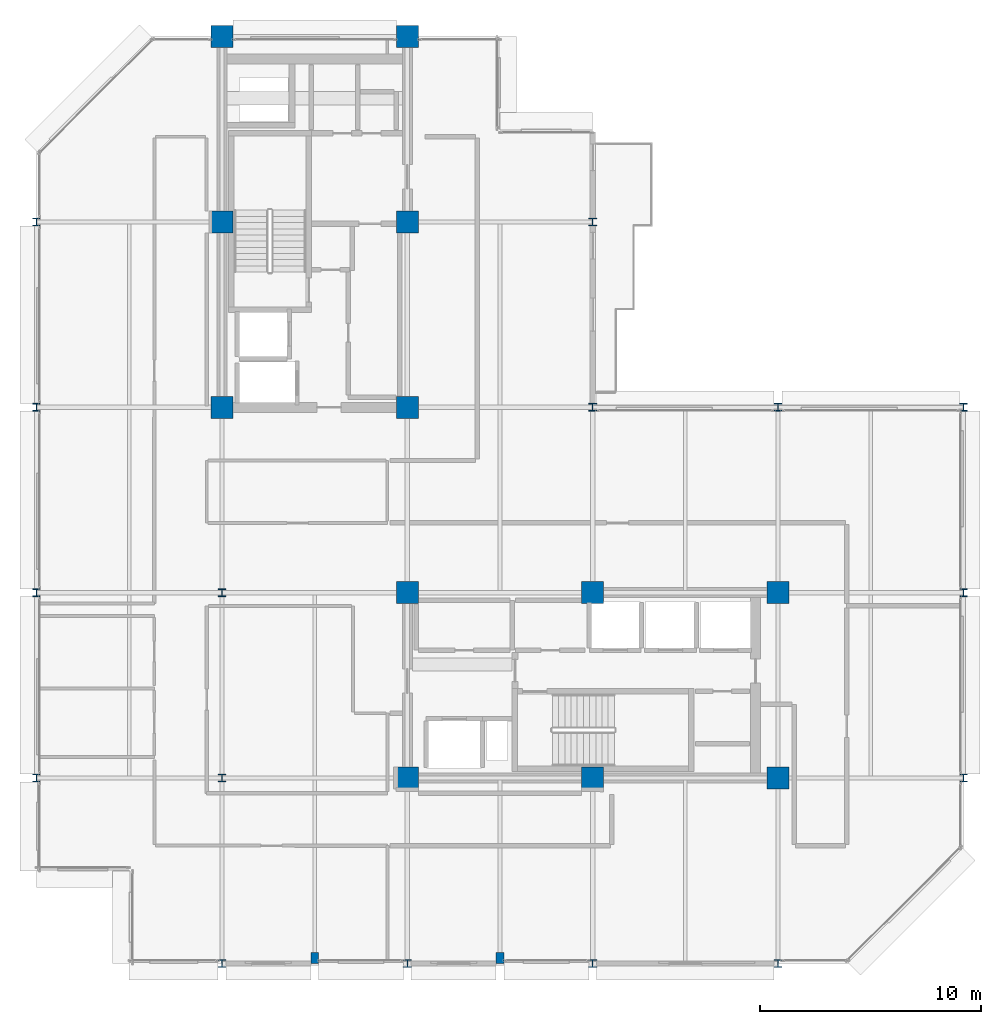
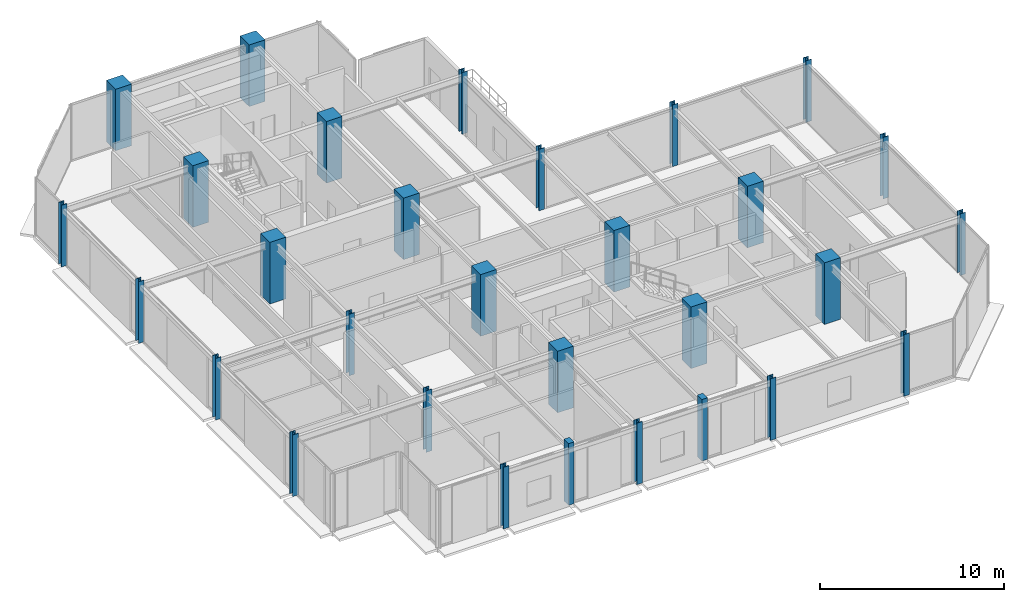
# One storey, part 1 of 26: 30 columns.
"""IFC4 building model written with IfcOpenShell, lengths in metres."""

from ifc_helpers import new_model, si_unit, direction, frame, origin, origin_2d, place, context, subcontext, project, spatial, rectangle, i_section, extrude, material, material_profile, profile_set, type_object, element, save


model = new_model("IFC4")

# Units and contexts
model_context = context("Model", 3, precision=1e-05, world=origin(), true_north=direction((0.0, 1.0)))
body_context = subcontext(model_context, "Body", "Model", "MODEL_VIEW")
ifc_project = project(units=[si_unit("LENGTHUNIT", "METRE"), si_unit("AREAUNIT", "SQUARE_METRE"), si_unit("VOLUMEUNIT", "CUBIC_METRE"), si_unit("PLANEANGLEUNIT", "RADIAN"), si_unit("MASSUNIT", "GRAM", prefix="KILO")], contexts=[model_context])

# Site, building, storey
site_placement = place(None, origin())
site = spatial("IfcSite", under=ifc_project, at=site_placement, CompositionType="ELEMENT")
building_placement = place(site_placement, origin())
building = spatial("IfcBuilding", under=site, at=building_placement, Name="Nerrivon Quay Data Exchange", CompositionType="ELEMENT")
storey_placement = place(building_placement, frame((0.0, 0.0, 228.800048828125)))
storey = spatial("IfcBuildingStorey", under=building, at=storey_placement, Name="L54", CompositionType="ELEMENT", Elevation=228.800048828125)

# Columns
ifc_material_1 = material(Name="Concrete S65 (65 MPa)", Category="concrete")
ifc_material_profile_1 = material_profile(ifc_material_1, rectangle(XDim=1.0, YDim=1.0, at=origin_2d()), Name="RC-COL-1000x1000")
ifc_profile_set_1 = profile_set([ifc_material_profile_1], Name="Concrete S65 (65 MPa)")
column_type_1 = type_object("IfcColumnType", Name="COL-C4-1000", PredefinedType="COLUMN", material=ifc_profile_set_1)
for number, where, z_axis, x_axis, name in (
    (1, (8.39990234375, 25.199951171875, 0.0), (0.0, 0.0, 1.0), (1.0, 0.0, 0.0), "L54 Column (8.4,25.2)"),
    (2, (8.39990234375, 33.60009765625, 0.0), (0.0, 0.0, 1.0), (1.0, 0.0, 0.0), "L54 Column (8.4,33.6)"),
    (3, (8.39990234375, 42.0, 0.0), (0.0, 0.0, 1.0), (1.0, 0.0, 0.0), "L54 Column (8.4,42.0)"),
    (4, (16.800048828125, 8.39990234375, 0.0), (0.0, 0.0, 1.0), (1.0, 0.0, 0.0), "L54 Column (16.8,8.4)"),
    (5, (16.800048828125, 16.800048828125, 0.0), (0.0, 0.0, 1.0), (1.0, 0.0, 0.0), "L54 Column (16.8,16.8)"),
    (6, (16.800048828125, 25.199951171875, 0.0), (0.0, 0.0, 1.0), (1.0, 0.0, 0.0), "L54 Column (16.8,25.2)"),
    (7, (16.800048828125, 33.60009765625, 0.0), (0.0, 0.0, 1.0), (1.0, 0.0, 0.0), "L54 Column (16.8,33.6)"),
    (8, (16.800048828125, 42.0, 0.0), (0.0, 0.0, 1.0), (1.0, 0.0, 0.0), "L54 Column (16.8,42.0)"),
    (9, (25.199951171875, 8.39990234375, 0.0), (0.0, 0.0, 1.0), (1.0, 0.0, 0.0), "L54 Column (25.2,8.4)"),
    (10, (25.199951171875, 16.800048828125, 0.0), (0.0, 0.0, 1.0), (1.0, 0.0, 0.0), "L54 Column (25.2,16.8)"),
    (11, (33.60009765625, 8.39990234375, 0.0), (0.0, 0.0, 1.0), (1.0, 0.0, 0.0), "L54 Column (33.6,8.4)"),
    (12, (33.60009765625, 16.800048828125, 0.0), (0.0, 0.0, 1.0), (1.0, 0.0, 0.0), "L54 Column (33.6,16.8)"),
):
    element("IfcColumn", number, at=place(storey_placement, frame(where, z_axis=z_axis, x_axis=x_axis)), inside=storey, type_object=column_type_1, Name=name, PredefinedType="COLUMN", context=body_context, shape_type="SweptSolid", body=[
        extrude(rectangle(XDim=1.0, YDim=1.0, at=origin_2d()), origin(), (0.0, 0.0, 1.0), 4.099853515625),
    ])
ifc_material_2 = material(Name="Steel Grade 350", Category="steel")
ifc_material_profile_2 = material_profile(ifc_material_2, i_section(OverallWidth=0.35009765625, OverallDepth=0.35009765625, WebThickness=0.02001953125, FlangeThickness=0.031982421875, at=origin_2d()), Name="350WC230")
ifc_profile_set_2 = profile_set([ifc_material_profile_2], Name="Steel Grade 350")
column_type_2 = type_object("IfcColumnType", Name="COL-SC3-350WC", PredefinedType="COLUMN", material=ifc_profile_set_2)
for number, where, z_axis, x_axis, name in (
    (13, (0.0, 8.39990234375, 0.0), (0.0, 0.0, 1.0), (1.0, 0.0, 0.0), "L54 Column (0.0,8.4)"),
    (14, (0.0, 16.800048828125, 0.0), (0.0, 0.0, 1.0), (1.0, 0.0, 0.0), "L54 Column (0.0,16.8)"),
    (15, (0.0, 25.199951171875, 0.0), (0.0, 0.0, 1.0), (1.0, 0.0, 0.0), "L54 Column (0.0,25.2)"),
    (16, (0.0, 33.60009765625, 0.0), (0.0, 0.0, 1.0), (1.0, 0.0, 0.0), "L54 Column (0.0,33.6)"),
    (17, (8.39990234375, 0.0, 0.0), (0.0, 0.0, 1.0), (1.0, 0.0, 0.0), "L54 Column (8.4,0.0)"),
    (18, (8.39990234375, 8.39990234375, 0.0), (0.0, 0.0, 1.0), (1.0, 0.0, 0.0), "L54 Column (8.4,8.4)"),
    (19, (8.39990234375, 16.800048828125, 0.0), (0.0, 0.0, 1.0), (1.0, 0.0, 0.0), "L54 Column (8.4,16.8)"),
    (20, (16.800048828125, 0.0, 0.0), (0.0, 0.0, 1.0), (1.0, 0.0, 0.0), "L54 Column (16.8,0.0)"),
    (21, (25.199951171875, 0.0, 0.0), (0.0, 0.0, 1.0), (1.0, 0.0, 0.0), "L54 Column (25.2,0.0)"),
    (22, (25.199951171875, 25.199951171875, 0.0), (0.0, 0.0, 1.0), (1.0, 0.0, 0.0), "L54 Column (25.2,25.2)"),
    (23, (25.199951171875, 33.60009765625, 0.0), (0.0, 0.0, 1.0), (1.0, 0.0, 0.0), "L54 Column (25.2,33.6)"),
    (24, (33.60009765625, 0.0, 0.0), (0.0, 0.0, 1.0), (1.0, 0.0, 0.0), "L54 Column (33.6,0.0)"),
    (25, (33.60009765625, 25.199951171875, 0.0), (0.0, 0.0, 1.0), (1.0, 0.0, 0.0), "L54 Column (33.6,25.2)"),
    (26, (42.0, 8.39990234375, 0.0), (0.0, 0.0, 1.0), (1.0, 0.0, 0.0), "L54 Column (42.0,8.4)"),
    (27, (42.0, 16.800048828125, 0.0), (0.0, 0.0, 1.0), (1.0, 0.0, 0.0), "L54 Column (42.0,16.8)"),
    (28, (42.0, 25.199951171875, 0.0), (0.0, 0.0, 1.0), (1.0, 0.0, 0.0), "L54 Column (42.0,25.2)"),
):
    element("IfcColumn", number, at=place(storey_placement, frame(where, z_axis=z_axis, x_axis=x_axis)), inside=storey, type_object=column_type_2, Name=name, PredefinedType="COLUMN", context=body_context, shape_type="SweptSolid", body=[
        extrude(i_section(OverallWidth=0.35009765625, OverallDepth=0.35009765625, WebThickness=0.02001953125, FlangeThickness=0.031982421875, at=origin_2d()), origin(), (0.0, 0.0, 1.0), 4.099853515625),
    ])
ifc_material_3 = material(Name="Concrete N50 (50 MPa)", Category="concrete")
ifc_material_profile_3 = material_profile(ifc_material_3, rectangle(XDim=0.35009765625, YDim=0.5, at=origin_2d()), Name="RC-PIL-500x350")
ifc_profile_set_3 = profile_set([ifc_material_profile_3], Name="Concrete N50 (50 MPa)")
column_type_3 = type_object("IfcColumnType", Name="PIL-P2-500x350", PredefinedType="PILASTER", material=ifc_profile_set_3)
for number, where, z_axis, x_axis, name in (
    (29, (12.60009765625, 0.25, 0.0), (0.0, 0.0, 1.0), (1.0, 0.0, 0.0), "L54 Facade Pilaster (12.6)"),
    (30, (21.0, 0.25, 0.0), (0.0, 0.0, 1.0), (1.0, 0.0, 0.0), "L54 Facade Pilaster (21.0)"),
):
    element("IfcColumn", number, at=place(storey_placement, frame(where, z_axis=z_axis, x_axis=x_axis)), inside=storey, type_object=column_type_3, Name=name, PredefinedType="PILASTER", context=body_context, shape_type="SweptSolid", body=[
        extrude(rectangle(XDim=0.35009765625, YDim=0.5, at=origin_2d()), origin(), (0.0, 0.0, 1.0), 4.099853515625),
    ])

save(model, "model.ifc")
